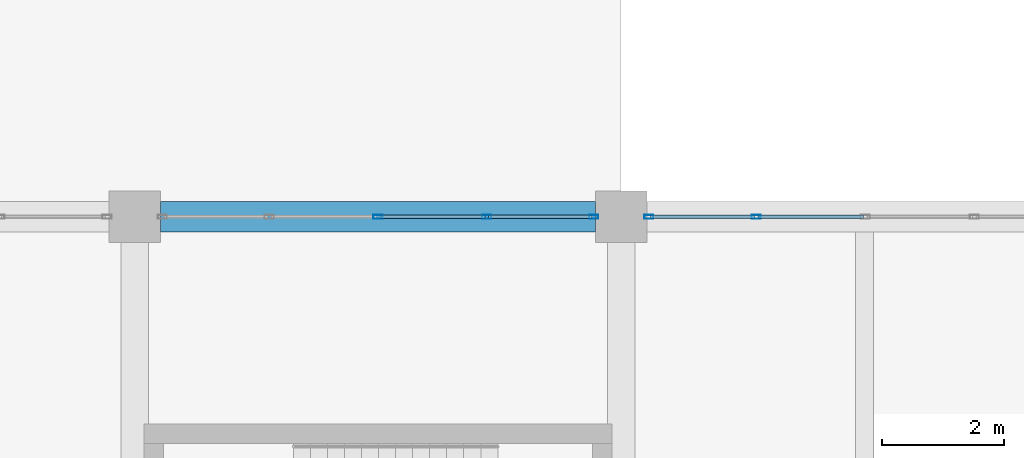
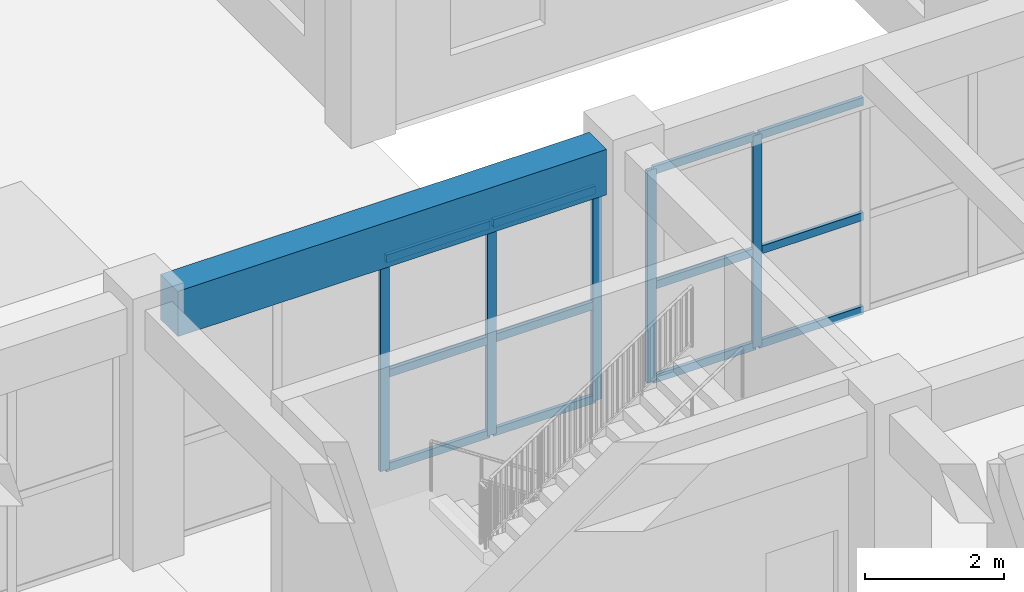
# One storey, part 44 of 101: 17 members, 1 beam, 2 elements without a shape of their own.
"""IFC4 building model written with IfcOpenShell, lengths in metres."""

from ifc_helpers import new_model, si_unit, direction, frame, origin, origin_2d, place, context, subcontext, project, spatial, rectangle, hollow_rectangle, extrude, material, material_profile, profile_set, type_object, element, aggregate, save


model = new_model("IFC4")

# Units and contexts
model_context = context("Model", 3, precision=1e-05, world=origin(), true_north=direction((0.0, 1.0)))
body_context = subcontext(model_context, "Body", "Model", "MODEL_VIEW")
ifc_project = project(units=[si_unit("LENGTHUNIT", "METRE"), si_unit("AREAUNIT", "SQUARE_METRE"), si_unit("VOLUMEUNIT", "CUBIC_METRE"), si_unit("PLANEANGLEUNIT", "RADIAN"), si_unit("MASSUNIT", "GRAM", prefix="KILO")], contexts=[model_context])

# Site, building, storey
site_placement = place(None, origin())
site = spatial("IfcSite", under=ifc_project, at=site_placement, CompositionType="ELEMENT")
building_placement = place(site_placement, origin())
building = spatial("IfcBuilding", under=site, at=building_placement, Name="Zantavel Square City Hall", CompositionType="ELEMENT")
storey_placement = place(building_placement, frame((0.0, 0.0, 5.39990234375)))
storey = spatial("IfcBuildingStorey", under=building, at=storey_placement, Name="L02", CompositionType="ELEMENT", Elevation=5.39990234375)

# Curtain wall, members
ifc_material_1 = material(Name="Anodised aluminium 6063-T6", Category="aluminium")
curtain_wall_type_1 = type_object("IfcCurtainWallType", Name="Curtain Wall TRV1 7150x3740", PredefinedType="USERDEFINED", material=ifc_material_1)
curtain_wall_1_placement = place(storey_placement, origin())
curtain_wall_1 = element("IfcCurtainWall", 1, at=curtain_wall_1_placement, inside=storey, type_object=curtain_wall_type_1, Name="L02 Glazed Curtain Wall CW-L02-042", ObjectType="GLAZED CURTAIN WALL", PredefinedType="USERDEFINED")
ifc_material_profile_1 = material_profile(ifc_material_1, hollow_rectangle(XDim=0.06494140625, YDim=0.14990234375, WallThickness=0.00390625, at=origin_2d()), Name="ALU 65x150x4")
ifc_profile_set_1 = profile_set([ifc_material_profile_1], Name="Anodised aluminium 6063-T6")
member_type_1 = type_object("IfcMemberType", Name="CW Mullion ALU 65x150x4", PredefinedType="MULLION", material=ifc_profile_set_1)
member_1_placement = place(storey_placement, frame((100.0, 68.39990234375, 0.0), z_axis=(0.0, 0.0, 1.0), x_axis=(0.0, 1.0, 0.0)))
member_1 = element("IfcMember", 2, at=member_1_placement, type_object=member_type_1, Name="CW-042 mullion 3", PredefinedType="MULLION", context=body_context, shape_type="SweptSolid", body=[
    extrude(hollow_rectangle(XDim=0.06494140625, YDim=0.14990234375, WallThickness=0.00390625, at=origin_2d()), origin(), (0.0, 0.0, 1.0), 3.739990234375),
])
member_2_placement = place(storey_placement, frame((101.78759765625, 68.39990234375, 0.0), z_axis=(0.0, 0.0, 1.0), x_axis=(0.0, 1.0, 0.0)))
member_2 = element("IfcMember", 3, at=member_2_placement, type_object=member_type_1, Name="CW-042 mullion 4", PredefinedType="MULLION", context=body_context, shape_type="SweptSolid", body=[
    extrude(hollow_rectangle(XDim=0.06494140625, YDim=0.14990234375, WallThickness=0.00390625, at=origin_2d()), origin(), (0.0, 0.0, 1.0), 3.739990234375),
])
member_3_placement = place(storey_placement, frame((103.544921875, 68.39990234375, 0.0), z_axis=(0.0, 0.0, 1.0), x_axis=(0.0, 1.0, 0.0)))
member_3 = element("IfcMember", 4, at=member_3_placement, type_object=member_type_1, Name="CW-042 mullion 5", PredefinedType="MULLION", context=body_context, shape_type="SweptSolid", body=[
    extrude(hollow_rectangle(XDim=0.06494140625, YDim=0.14990234375, WallThickness=0.00390625, at=origin_2d()), origin(), (0.0, 0.0, 1.0), 3.739990234375),
])

curtain_wall_type_2 = type_object("IfcCurtainWallType", Name="Curtain Wall TRV1 7175x3740", PredefinedType="USERDEFINED", material=ifc_material_1)
curtain_wall_2_placement = place(storey_placement, origin())
curtain_wall_2 = element("IfcCurtainWall", 5, at=curtain_wall_2_placement, inside=storey, type_object=curtain_wall_type_2, Name="L02 Glazed Curtain Wall CW-L02-043", ObjectType="GLAZED CURTAIN WALL", PredefinedType="USERDEFINED")
member_4_placement = place(storey_placement, frame((104.455078125, 68.39990234375, 0.0), z_axis=(0.0, 0.0, 1.0), x_axis=(0.0, 1.0, 0.0)))
member_4 = element("IfcMember", 6, at=member_4_placement, type_object=member_type_1, Name="CW-043 mullion 1", PredefinedType="MULLION", context=body_context, shape_type="SweptSolid", body=[
    extrude(hollow_rectangle(XDim=0.06494140625, YDim=0.14990234375, WallThickness=0.00390625, at=origin_2d()), origin(), (0.0, 0.0, 1.0), 3.739990234375),
])
member_5_placement = place(storey_placement, frame((106.21875, 68.39990234375, 0.0), z_axis=(0.0, 0.0, 1.0), x_axis=(0.0, 1.0, 0.0)))
member_5 = element("IfcMember", 7, at=member_5_placement, type_object=member_type_1, Name="CW-043 mullion 2", PredefinedType="MULLION", context=body_context, shape_type="SweptSolid", body=[
    extrude(hollow_rectangle(XDim=0.06494140625, YDim=0.14990234375, WallThickness=0.00390625, at=origin_2d()), origin(), (0.0, 0.0, 1.0), 3.739990234375),
])

# Member
ifc_material_profile_2 = material_profile(ifc_material_1, hollow_rectangle(XDim=0.06005859375, YDim=0.139892578125, WallThickness=0.00390625, at=origin_2d()), Name="ALU 60x140x4")
ifc_profile_set_2 = profile_set([ifc_material_profile_2], Name="Anodised aluminium 6063-T6")
member_type_2 = type_object("IfcMemberType", Name="CW Transom ALU 60x140x4", PredefinedType="USERDEFINED", material=ifc_profile_set_2)
member_6_placement = place(storey_placement, frame((100.030029296875, 68.39990234375, 0.030029296875), z_axis=(1.0, 0.0, 0.0), x_axis=(0.0, 1.0, 0.0)))
member_6 = element("IfcMember", 8, at=member_6_placement, type_object=member_type_2, Name="CW-042 transom 3.1", ObjectType="TRANSOM", PredefinedType="USERDEFINED", context=body_context, shape_type="SweptSolid", body=[
    extrude(hollow_rectangle(XDim=0.06005859375, YDim=0.139892578125, WallThickness=0.00390625, at=origin_2d()), origin(), (0.0, 0.0, 1.0), 1.7275390625),
])

member_7_placement = place(storey_placement, frame((100.030029296875, 68.39990234375, 1.68310546875), z_axis=(1.0, 0.0, 0.0), x_axis=(0.0, 1.0, 0.0)))
member_7 = element("IfcMember", 9, at=member_7_placement, type_object=member_type_2, Name="CW-042 transom 3.2", ObjectType="TRANSOM", PredefinedType="USERDEFINED", context=body_context, shape_type="SweptSolid", body=[
    extrude(hollow_rectangle(XDim=0.06005859375, YDim=0.139892578125, WallThickness=0.00390625, at=origin_2d()), origin(), (0.0, 0.0, 1.0), 1.7275390625),
])

member_8_placement = place(storey_placement, frame((100.030029296875, 68.39990234375, 3.710205078125), z_axis=(1.0, 0.0, 0.0), x_axis=(0.0, 1.0, 0.0)))
member_8 = element("IfcMember", 10, at=member_8_placement, type_object=member_type_2, Name="CW-042 transom 3.3", ObjectType="TRANSOM", PredefinedType="USERDEFINED", context=body_context, shape_type="SweptSolid", body=[
    extrude(hollow_rectangle(XDim=0.06005859375, YDim=0.139892578125, WallThickness=0.00390625, at=origin_2d()), origin(), (0.0, 0.0, 1.0), 1.7275390625),
])

member_9_placement = place(storey_placement, frame((101.8173828125, 68.39990234375, 0.030029296875), z_axis=(1.0, 0.0, 0.0), x_axis=(0.0, 1.0, 0.0)))
member_9 = element("IfcMember", 11, at=member_9_placement, type_object=member_type_2, Name="CW-042 transom 4.1", ObjectType="TRANSOM", PredefinedType="USERDEFINED", context=body_context, shape_type="SweptSolid", body=[
    extrude(hollow_rectangle(XDim=0.06005859375, YDim=0.139892578125, WallThickness=0.00390625, at=origin_2d()), origin(), (0.0, 0.0, 1.0), 1.697509765625),
])

member_10_placement = place(storey_placement, frame((101.8173828125, 68.39990234375, 1.68310546875), z_axis=(1.0, 0.0, 0.0), x_axis=(0.0, 1.0, 0.0)))
member_10 = element("IfcMember", 12, at=member_10_placement, type_object=member_type_2, Name="CW-042 transom 4.2", ObjectType="TRANSOM", PredefinedType="USERDEFINED", context=body_context, shape_type="SweptSolid", body=[
    extrude(hollow_rectangle(XDim=0.06005859375, YDim=0.139892578125, WallThickness=0.00390625, at=origin_2d()), origin(), (0.0, 0.0, 1.0), 1.697509765625),
])

member_11_placement = place(storey_placement, frame((101.8173828125, 68.39990234375, 3.710205078125), z_axis=(1.0, 0.0, 0.0), x_axis=(0.0, 1.0, 0.0)))
member_11 = element("IfcMember", 13, at=member_11_placement, type_object=member_type_2, Name="CW-042 transom 4.3", ObjectType="TRANSOM", PredefinedType="USERDEFINED", context=body_context, shape_type="SweptSolid", body=[
    extrude(hollow_rectangle(XDim=0.06005859375, YDim=0.139892578125, WallThickness=0.00390625, at=origin_2d()), origin(), (0.0, 0.0, 1.0), 1.697509765625),
])

aggregate(curtain_wall_1, [member_1, member_2, member_3, member_6, member_7, member_8, member_9, member_10, member_11])

member_12_placement = place(storey_placement, frame((104.485107421875, 68.39990234375, 0.030029296875), z_axis=(1.0, 0.0, 0.0), x_axis=(0.0, 1.0, 0.0)))
member_12 = element("IfcMember", 14, at=member_12_placement, type_object=member_type_2, Name="CW-043 transom 1.1", ObjectType="TRANSOM", PredefinedType="USERDEFINED", context=body_context, shape_type="SweptSolid", body=[
    extrude(hollow_rectangle(XDim=0.06005859375, YDim=0.139892578125, WallThickness=0.00390625, at=origin_2d()), origin(), (0.0, 0.0, 1.0), 1.70361328125),
])

member_13_placement = place(storey_placement, frame((104.485107421875, 68.39990234375, 1.68310546875), z_axis=(1.0, 0.0, 0.0), x_axis=(0.0, 1.0, 0.0)))
member_13 = element("IfcMember", 15, at=member_13_placement, type_object=member_type_2, Name="CW-043 transom 1.2", ObjectType="TRANSOM", PredefinedType="USERDEFINED", context=body_context, shape_type="SweptSolid", body=[
    extrude(hollow_rectangle(XDim=0.06005859375, YDim=0.139892578125, WallThickness=0.00390625, at=origin_2d()), origin(), (0.0, 0.0, 1.0), 1.70361328125),
])

member_14_placement = place(storey_placement, frame((104.485107421875, 68.39990234375, 3.710205078125), z_axis=(1.0, 0.0, 0.0), x_axis=(0.0, 1.0, 0.0)))
member_14 = element("IfcMember", 16, at=member_14_placement, type_object=member_type_2, Name="CW-043 transom 1.3", ObjectType="TRANSOM", PredefinedType="USERDEFINED", context=body_context, shape_type="SweptSolid", body=[
    extrude(hollow_rectangle(XDim=0.06005859375, YDim=0.139892578125, WallThickness=0.00390625, at=origin_2d()), origin(), (0.0, 0.0, 1.0), 1.70361328125),
])

member_15_placement = place(storey_placement, frame((106.248779296875, 68.39990234375, 0.030029296875), z_axis=(1.0, 0.0, 0.0), x_axis=(0.0, 1.0, 0.0)))
member_15 = element("IfcMember", 17, at=member_15_placement, type_object=member_type_2, Name="CW-043 transom 2.1", ObjectType="TRANSOM", PredefinedType="USERDEFINED", context=body_context, shape_type="SweptSolid", body=[
    extrude(hollow_rectangle(XDim=0.06005859375, YDim=0.139892578125, WallThickness=0.00390625, at=origin_2d()), origin(), (0.0, 0.0, 1.0), 1.733642578125),
])

member_16_placement = place(storey_placement, frame((106.248779296875, 68.39990234375, 1.68310546875), z_axis=(1.0, 0.0, 0.0), x_axis=(0.0, 1.0, 0.0)))
member_16 = element("IfcMember", 18, at=member_16_placement, type_object=member_type_2, Name="CW-043 transom 2.2", ObjectType="TRANSOM", PredefinedType="USERDEFINED", context=body_context, shape_type="SweptSolid", body=[
    extrude(hollow_rectangle(XDim=0.06005859375, YDim=0.139892578125, WallThickness=0.00390625, at=origin_2d()), origin(), (0.0, 0.0, 1.0), 1.733642578125),
])

member_17_placement = place(storey_placement, frame((106.248779296875, 68.39990234375, 3.710205078125), z_axis=(1.0, 0.0, 0.0), x_axis=(0.0, 1.0, 0.0)))
member_17 = element("IfcMember", 19, at=member_17_placement, type_object=member_type_2, Name="CW-043 transom 2.3", ObjectType="TRANSOM", PredefinedType="USERDEFINED", context=body_context, shape_type="SweptSolid", body=[
    extrude(hollow_rectangle(XDim=0.06005859375, YDim=0.139892578125, WallThickness=0.00390625, at=origin_2d()), origin(), (0.0, 0.0, 1.0), 1.733642578125),
])

aggregate(curtain_wall_2, [member_4, member_5, member_12, member_13, member_14, member_15, member_16, member_17])

# Beam
ifc_material_2 = material(Name="Concrete C35/45", Category="concrete")
ifc_material_profile_3 = material_profile(ifc_material_2, rectangle(XDim=0.5, YDim=0.800048828125, at=origin_2d()), Name="RC 500x800")
ifc_profile_set_3 = profile_set([ifc_material_profile_3], Name="Concrete C35/45")
beam_type = type_object("IfcBeamType", Name="Primary Girder RC 500x800 C35/45", PredefinedType="BEAM", material=ifc_profile_set_3)
beam_placement = place(storey_placement, frame((96.425048828125, 68.39990234375, 4.14013671875), z_axis=(1.0, 0.0, 0.0), x_axis=(0.0, 1.0, 0.0)))
element("IfcBeam", 20, at=beam_placement, inside=storey, type_object=beam_type, Name="L02 Girder BMX-L02-0960-0684", PredefinedType="BEAM", context=body_context, shape_type="SweptSolid", body=[
    extrude(rectangle(XDim=0.5, YDim=0.800048828125, at=origin_2d()), origin(), (0.0, 0.0, 1.0), 7.14990234375),
])

save(model, "model.ifc")
